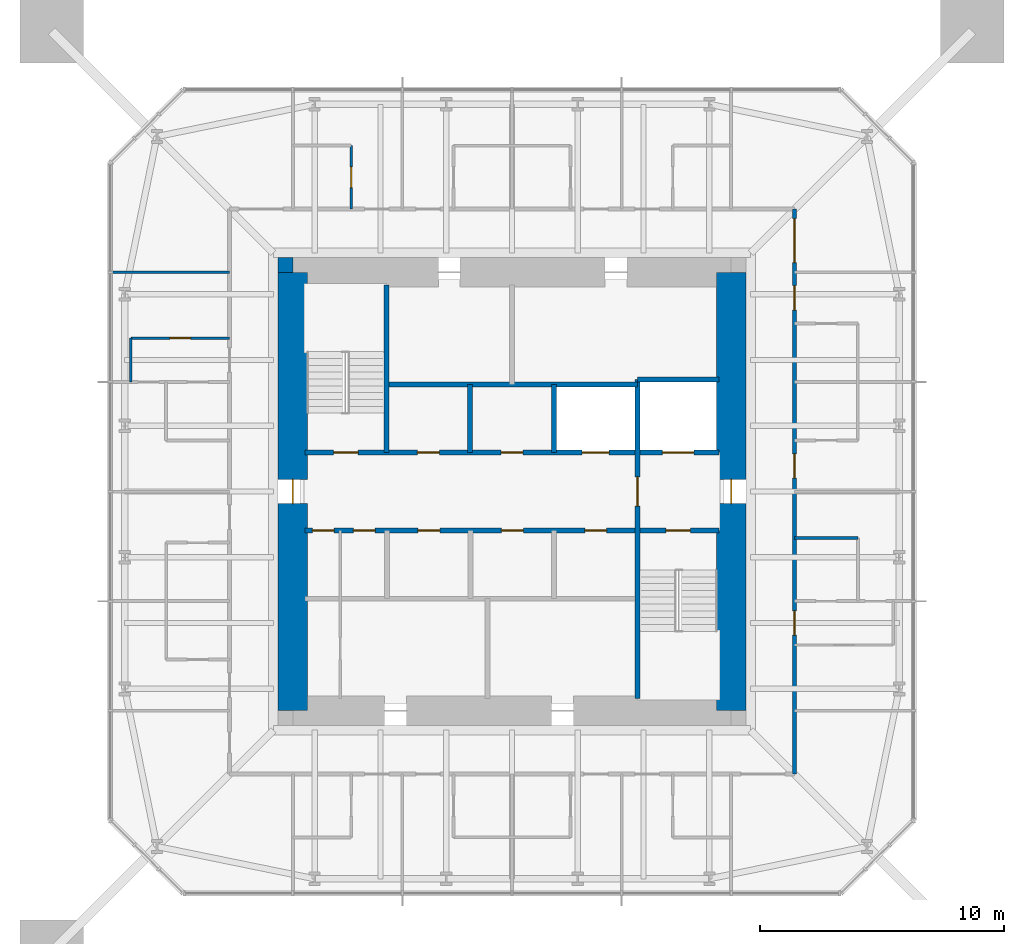
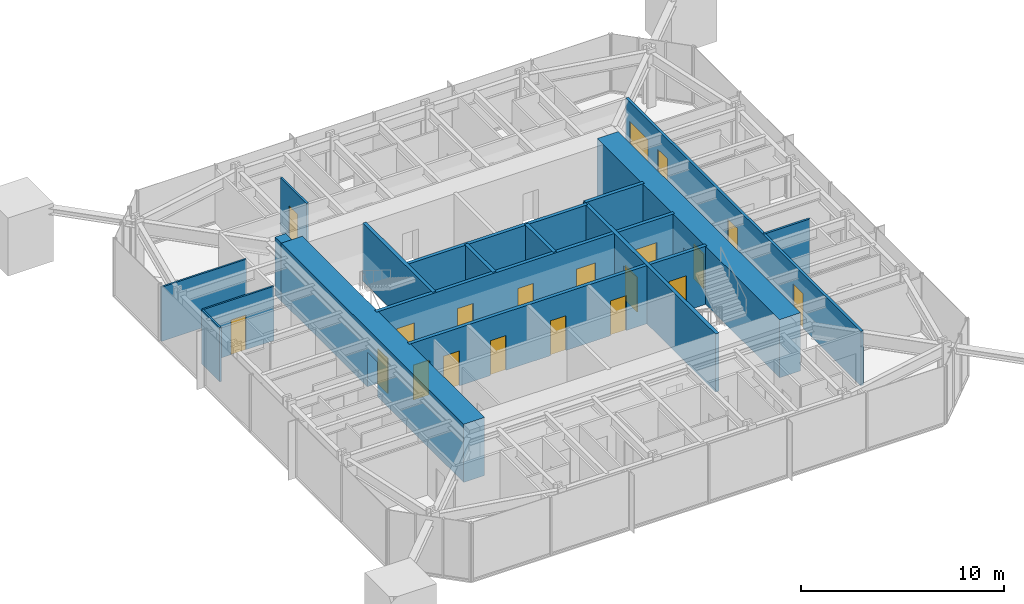
# One storey, part 7 of 10: 20 doors, 17 walls, 20 openings.
"""IFC4 building model written with IfcOpenShell, lengths in metres."""

from ifc_helpers import new_model, si_unit, direction, frame, frame_2d, origin, place, context, subcontext, project, spatial, rectangle, extrude, material, layer, layer_set, type_object, element, fill, save


model = new_model("IFC4")

# Units and contexts
model_context = context("Model", 3, precision=1e-05, world=origin(), true_north=direction((0.0, 1.0)))
body_context = subcontext(model_context, "Body", "Model", "MODEL_VIEW")
ifc_project = project(units=[si_unit("LENGTHUNIT", "METRE"), si_unit("AREAUNIT", "SQUARE_METRE"), si_unit("VOLUMEUNIT", "CUBIC_METRE"), si_unit("PLANEANGLEUNIT", "RADIAN"), si_unit("MASSUNIT", "GRAM", prefix="KILO")], contexts=[model_context])

# Site, building, storey
site_placement = place(None, origin())
site = spatial("IfcSite", under=ifc_project, at=site_placement, CompositionType="ELEMENT")
building_placement = place(site_placement, origin())
building = spatial("IfcBuilding", under=site, at=building_placement, Name="Iwan Alto Co-Living Towers", CompositionType="ELEMENT")
storey_placement = place(building_placement, frame((0.0, 0.0, 218.5)))
storey = spatial("IfcBuildingStorey", under=building, at=storey_placement, Name="L59", CompositionType="ELEMENT", Elevation=218.5)

# Wall, openings, doors
ifc_material_1 = material(Name="Gypsum board")
ifc_layer_1 = layer(ifc_material_1, 0.02490234375, Name="Board", Category="Finish")
ifc_material_2 = material(Name="Steel ASTM A1003 ST33H cold-formed studs", Category="steel")
ifc_layer_2 = layer(ifc_material_2, 0.10009765625, Name="Studs", Category="Framing")
ifc_layer_3 = layer(ifc_material_1, 0.02490234375, Name="Board", Category="Finish")
ifc_layer_set_1 = layer_set([ifc_layer_1, ifc_layer_2, ifc_layer_3], Name="CORRIDOR WALL 150")
wall_type_1 = type_object("IfcWallType", Name="CORRIDOR WALL 150", PredefinedType="PARTITIONING", material=ifc_layer_set_1)
wall_1_placement = place(storey_placement, frame((11.60009765625, -11.60009765625, 0.0), z_axis=(0.0, 0.0, 1.0), x_axis=(0.0, 1.0, 0.0)))
wall_1 = element("IfcWall", 1, at=wall_1_placement, inside=storey, type_object=wall_type_1, Name="Partition L59", PredefinedType="PARTITIONING", context=body_context, shape_type="SweptSolid", body=[
    extrude(rectangle(XDim=23.2001953125, YDim=0.14990234375, at=frame_2d((11.60009765625, 0.0))), origin(), (0.0, 0.0, 1.0), 3.27001953125),
])
opening_1_placement = place(wall_1_placement, frame((5.699951171875, 0.0, 0.0)))
opening_1 = element("IfcOpeningElement", 2, at=opening_1_placement, cuts=wall_1, Name="Opening D3", PredefinedType="OPENING", context=body_context, shape_type="SweptSolid", body=[
    extrude(rectangle(XDim=1.0, YDim=2.10009765625, at=frame_2d((0.5, 1.050048828125))), frame((0.0, 0.0849609375, 0.0), z_axis=(0.0, -1.0, 0.0), x_axis=(1.0, 0.0, 0.0)), (0.0, 0.0, 1.0), 0.169921875),
])
opening_2_placement = place(wall_1_placement, frame((12.14990234375, 0.0, 0.0)))
opening_2 = element("IfcOpeningElement", 3, at=opening_2_placement, cuts=wall_1, Name="Opening D3", PredefinedType="OPENING", context=body_context, shape_type="SweptSolid", body=[
    extrude(rectangle(XDim=1.0, YDim=2.10009765625, at=frame_2d((0.5, 1.050048828125))), frame((0.0, 0.0849609375, 0.0), z_axis=(0.0, -1.0, 0.0), x_axis=(1.0, 0.0, 0.0)), (0.0, 0.0, 1.0), 0.169921875),
])
opening_3_placement = place(wall_1_placement, frame((19.050048828125, 0.0, 0.0)))
opening_3 = element("IfcOpeningElement", 4, at=opening_3_placement, cuts=wall_1, Name="Opening D3", PredefinedType="OPENING", context=body_context, shape_type="SweptSolid", body=[
    extrude(rectangle(XDim=1.0, YDim=2.10009765625, at=frame_2d((0.5, 1.050048828125))), frame((0.0, 0.0849609375, 0.0), z_axis=(0.0, -1.0, 0.0), x_axis=(1.0, 0.0, 0.0)), (0.0, 0.0, 1.0), 0.169921875),
])
opening_4_placement = place(wall_1_placement, frame((21.0, 0.0, 0.0)))
opening_4 = element("IfcOpeningElement", 5, at=opening_4_placement, cuts=wall_1, Name="Opening D9", PredefinedType="OPENING", context=body_context, shape_type="SweptSolid", body=[
    extrude(rectangle(XDim=1.800048828125, YDim=2.10009765625, at=frame_2d((0.89990234375, 1.050048828125))), frame((0.0, 0.0849609375, 0.0), z_axis=(0.0, -1.0, 0.0), x_axis=(1.0, 0.0, 0.0)), (0.0, 0.0, 1.0), 0.169921875),
])
ifc_material_3 = material(Name="Steel frame with timber leaf", Category="steel")
door_type_1 = type_object("IfcDoorType", Name="FLAT ENTRANCE DOOR FD30S 1000X2100", OperationType="SINGLE_SWING_LEFT", PredefinedType="DOOR", material=ifc_material_3)
door_1_placement = place(opening_1_placement, frame((1.0, 0.0, 0.0), z_axis=(0.0, 0.0, 1.0), x_axis=(-1.0, 0.0, 0.0)))
door_1 = element("IfcDoor", 6, at=door_1_placement, inside=storey, type_object=door_type_1, Name="Apartment foyer door L59", OperationType="SINGLE_SWING_RIGHT", OverallHeight=2.10009765625, OverallWidth=1.0, PredefinedType="DOOR", context=body_context, shape_type="SweptSolid", body=[
    extrude(rectangle(XDim=1.0, YDim=2.10009765625, at=frame_2d((0.5, 1.050048828125))), frame((0.0, 0.02490234375, 0.0), z_axis=(0.0, -1.0, 0.0), x_axis=(1.0, 0.0, 0.0)), (0.0, 0.0, 1.0), 0.050048828125),
])
fill(opening_1, door_1)
door_2_placement = place(opening_2_placement, frame((1.0, 0.0, 0.0), z_axis=(0.0, 0.0, 1.0), x_axis=(-1.0, 0.0, 0.0)))
door_2 = element("IfcDoor", 7, at=door_2_placement, inside=storey, type_object=door_type_1, Name="Studio door L59", OperationType="SINGLE_SWING_RIGHT", OverallHeight=2.10009765625, OverallWidth=1.0, PredefinedType="DOOR", context=body_context, shape_type="SweptSolid", body=[
    extrude(rectangle(XDim=1.0, YDim=2.10009765625, at=frame_2d((0.5, 1.050048828125))), frame((0.0, 0.02490234375, 0.0), z_axis=(0.0, -1.0, 0.0), x_axis=(1.0, 0.0, 0.0)), (0.0, 0.0, 1.0), 0.050048828125),
])
fill(opening_2, door_2)
door_3_placement = place(opening_3_placement, frame((1.0, 0.0, 0.0), z_axis=(0.0, 0.0, 1.0), x_axis=(-1.0, 0.0, 0.0)))
door_3 = element("IfcDoor", 8, at=door_3_placement, inside=storey, type_object=door_type_1, Name="Studio door L59", OperationType="SINGLE_SWING_RIGHT", OverallHeight=2.10009765625, OverallWidth=1.0, PredefinedType="DOOR", context=body_context, shape_type="SweptSolid", body=[
    extrude(rectangle(XDim=1.0, YDim=2.10009765625, at=frame_2d((0.5, 1.050048828125))), frame((0.0, 0.02490234375, 0.0), z_axis=(0.0, -1.0, 0.0), x_axis=(1.0, 0.0, 0.0)), (0.0, 0.0, 1.0), 0.050048828125),
])
fill(opening_3, door_3)
ifc_material_4 = material(Name="Steel frame with timber leaf", Category="steel")
door_type_2 = type_object("IfcDoorType", Name="LOUNGE DOOR FD30S 1800X2100", OperationType="DOUBLE_DOOR_SINGLE_SWING", PredefinedType="DOOR", material=ifc_material_4)
door_4_placement = place(opening_4_placement, frame((1.800048828125, 0.0, 0.0), z_axis=(0.0, 0.0, 1.0), x_axis=(-1.0, 0.0, 0.0)))
door_4 = element("IfcDoor", 9, at=door_4_placement, inside=storey, type_object=door_type_2, Name="Study lounge door L59", OperationType="DOUBLE_DOOR_SINGLE_SWING", OverallHeight=2.10009765625, OverallWidth=1.800048828125, PredefinedType="DOOR", context=body_context, shape_type="SweptSolid", body=[
    extrude(rectangle(XDim=1.800048828125, YDim=2.10009765625, at=frame_2d((0.89990234375, 1.050048828125))), frame((0.0, 0.02490234375, 0.0), z_axis=(0.0, -1.0, 0.0), x_axis=(1.0, 0.0, 0.0)), (0.0, 0.0, 1.0), 0.050048828125),
])
fill(opening_4, door_4)

# Wall, opening, door
ifc_layer_4 = layer(ifc_material_1, 0.012451171875, Name="Board", Category="Finish")
ifc_layer_5 = layer(ifc_material_2, 0.074951171875, Name="Studs", Category="Framing")
ifc_layer_6 = layer(ifc_material_1, 0.012451171875, Name="Board", Category="Finish")
ifc_layer_set_2 = layer_set([ifc_layer_4, ifc_layer_5, ifc_layer_6], Name="PARTITION 100")
wall_type_2 = type_object("IfcWallType", Name="PARTITION 100", PredefinedType="PARTITIONING", material=ifc_layer_set_2)
wall_2_placement = place(storey_placement, frame((-15.64990234375, 6.300048828125, 0.0), z_axis=(0.0, 0.0, 1.0), x_axis=(1.0, 0.0, 0.0)))
wall_2 = element("IfcWall", 10, at=wall_2_placement, inside=storey, type_object=wall_type_2, Name="Partition L59", PredefinedType="PARTITIONING", context=body_context, shape_type="SweptSolid", body=[
    extrude(rectangle(XDim=4.0498046875, YDim=0.10009765625, at=frame_2d((2.02490234375, 0.0))), origin(), (0.0, 0.0, 1.0), 3.27001953125),
])
opening_5_placement = place(wall_2_placement, frame((1.60009765625, 0.0, 0.0)))
opening_5 = element("IfcOpeningElement", 11, at=opening_5_placement, cuts=wall_2, Name="Opening D2", PredefinedType="OPENING", context=body_context, shape_type="SweptSolid", body=[
    extrude(rectangle(XDim=0.85009765625, YDim=2.10009765625, at=frame_2d((0.425048828125, 1.050048828125))), frame((0.0, 0.06005859375, 0.0), z_axis=(0.0, -1.0, 0.0), x_axis=(1.0, 0.0, 0.0)), (0.0, 0.0, 1.0), 0.1201171875),
])
ifc_material_5 = material(Name="Timber leaf in steel frame", Category="steel")
door_type_3 = type_object("IfcDoorType", Name="ROOM DOOR 850X2100", OperationType="SINGLE_SWING_LEFT", PredefinedType="DOOR", material=ifc_material_5)
door_5_placement = place(opening_5_placement, origin())
door_5 = element("IfcDoor", 12, at=door_5_placement, inside=storey, type_object=door_type_3, Name="Apartment foyer door L59", OperationType="SINGLE_SWING_RIGHT", OverallHeight=2.10009765625, OverallWidth=0.85009765625, PredefinedType="DOOR", context=body_context, shape_type="SweptSolid", body=[
    extrude(rectangle(XDim=0.85009765625, YDim=2.10009765625, at=frame_2d((0.425048828125, 1.050048828125))), frame((0.0, 0.02490234375, 0.0), z_axis=(0.0, -1.0, 0.0), x_axis=(1.0, 0.0, 0.0)), (0.0, 0.0, 1.0), 0.050048828125),
])
fill(opening_5, door_5)

# Walls
wall_3_placement = place(storey_placement, frame((-16.43994140625, 9.0, 0.0), z_axis=(0.0, 0.0, 1.0), x_axis=(1.0, 0.0, 0.0)))
element("IfcWall", 13, at=wall_3_placement, inside=storey, type_object=wall_type_2, Name="Partition L59", PredefinedType="PARTITIONING", context=body_context, shape_type="SweptSolid", body=[
    extrude(rectangle(XDim=4.83984375, YDim=0.10009765625, at=frame_2d((2.419921875, 0.0))), origin(), (0.0, 0.0, 1.0), 3.27001953125),
])
wall_4_placement = place(storey_placement, frame((-15.64990234375, 4.5, 0.0), z_axis=(0.0, 0.0, 1.0), x_axis=(0.0, 1.0, 0.0)))
element("IfcWall", 14, at=wall_4_placement, inside=storey, type_object=wall_type_2, Name="Partition L59", PredefinedType="PARTITIONING", context=body_context, shape_type="SweptSolid", body=[
    extrude(rectangle(XDim=1.800048828125, YDim=0.10009765625, at=frame_2d((0.89990234375, 0.0))), origin(), (0.0, 0.0, 1.0), 3.27001953125),
])

# Wall, openings, doors
ifc_material_6 = material(Name="Concrete f'c 70 MPa", Category="concrete")
ifc_layer_7 = layer(ifc_material_6, 0.199951171875)
ifc_layer_set_3 = layer_set([ifc_layer_7], Name="SHAFT WALL 200")
wall_type_3 = type_object("IfcWallType", Name="SHAFT WALL 200", PredefinedType="SOLIDWALL", material=ifc_layer_set_3)
wall_5_placement = place(storey_placement, frame((-8.489990234375, -1.60009765625, 0.0), z_axis=(0.0, 0.0, 1.0), x_axis=(1.0, 0.0, 0.0)))
wall_5 = element("IfcWall", 15, at=wall_5_placement, inside=storey, type_object=wall_type_3, Name="Shaft wall L59", PredefinedType="SOLIDWALL", context=body_context, shape_type="SweptSolid", body=[
    extrude(rectangle(XDim=16.97998046875, YDim=0.199951171875, at=frame_2d((8.489990234375, 0.0))), origin(), (0.0, 0.0, 1.0), 3.5),
])
opening_6_placement = place(wall_5_placement, frame((14.81005859375, 0.0, 0.0)))
opening_6 = element("IfcOpeningElement", 16, at=opening_6_placement, cuts=wall_5, Name="Opening D5", PredefinedType="OPENING", context=body_context, shape_type="SweptSolid", body=[
    extrude(rectangle(XDim=1.0, YDim=2.10009765625, at=frame_2d((0.5, 1.050048828125))), frame((0.0, 0.10986328125, 0.0), z_axis=(0.0, -1.0, 0.0), x_axis=(1.0, 0.0, 0.0)), (0.0, 0.0, 1.0), 0.219970703125),
])
opening_7_placement = place(wall_5_placement, frame((1.972900390625, 0.0, 0.0)))
opening_7 = element("IfcOpeningElement", 17, at=opening_7_placement, cuts=wall_5, Name="Opening D15", PredefinedType="OPENING", context=body_context, shape_type="SweptSolid", body=[
    extrude(rectangle(XDim=0.89990234375, YDim=2.10009765625, at=frame_2d((0.449951171875, 1.050048828125))), frame((0.0, 0.10986328125, 0.0), z_axis=(0.0, -1.0, 0.0), x_axis=(1.0, 0.0, 0.0)), (0.0, 0.0, 1.0), 0.219970703125),
])
opening_8_placement = place(wall_5_placement, frame((0.2900390625, 0.0, 0.0)))
opening_8 = element("IfcOpeningElement", 18, at=opening_8_placement, cuts=wall_5, Name="Opening D15", PredefinedType="OPENING", context=body_context, shape_type="SweptSolid", body=[
    extrude(rectangle(XDim=0.89990234375, YDim=2.10009765625, at=frame_2d((0.449951171875, 1.050048828125))), frame((0.0, 0.10986328125, 0.0), z_axis=(0.0, -1.0, 0.0), x_axis=(1.0, 0.0, 0.0)), (0.0, 0.0, 1.0), 0.219970703125),
])
opening_9_placement = place(wall_5_placement, frame((4.626953125, 0.0, 0.0)))
opening_9 = element("IfcOpeningElement", 19, at=opening_9_placement, cuts=wall_5, Name="Opening D15", PredefinedType="OPENING", context=body_context, shape_type="SweptSolid", body=[
    extrude(rectangle(XDim=0.89990234375, YDim=2.10009765625, at=frame_2d((0.449951171875, 1.050048828125))), frame((0.0, 0.10986328125, 0.0), z_axis=(0.0, -1.0, 0.0), x_axis=(1.0, 0.0, 0.0)), (0.0, 0.0, 1.0), 0.219970703125),
])
opening_10_placement = place(wall_5_placement, frame((8.052001953125, 0.0, 0.0)))
opening_10 = element("IfcOpeningElement", 20, at=opening_10_placement, cuts=wall_5, Name="Opening D15", PredefinedType="OPENING", context=body_context, shape_type="SweptSolid", body=[
    extrude(rectangle(XDim=0.89990234375, YDim=2.10009765625, at=frame_2d((0.449951171875, 1.050048828125))), frame((0.0, 0.10986328125, 0.0), z_axis=(0.0, -1.0, 0.0), x_axis=(1.0, 0.0, 0.0)), (0.0, 0.0, 1.0), 0.219970703125),
])
opening_11_placement = place(wall_5_placement, frame((11.47802734375, 0.0, 0.0)))
opening_11 = element("IfcOpeningElement", 21, at=opening_11_placement, cuts=wall_5, Name="Opening D15", PredefinedType="OPENING", context=body_context, shape_type="SweptSolid", body=[
    extrude(rectangle(XDim=0.89990234375, YDim=2.10009765625, at=frame_2d((0.449951171875, 1.050048828125))), frame((0.0, 0.10986328125, 0.0), z_axis=(0.0, -1.0, 0.0), x_axis=(1.0, 0.0, 0.0)), (0.0, 0.0, 1.0), 0.219970703125),
])
ifc_material_7 = material(Name="Steel frame with timber leaf", Category="steel")
door_type_4 = type_object("IfcDoorType", Name="CORE ROOM DOOR FD60S 900X2100", OperationType="SINGLE_SWING_LEFT", PredefinedType="DOOR", material=ifc_material_7)
door_6_placement = place(opening_7_placement, frame((0.89990234375, 0.0, 0.0), z_axis=(0.0, 0.0, 1.0), x_axis=(-1.0, 0.0, 0.0)))
door_6 = element("IfcDoor", 22, at=door_6_placement, inside=storey, type_object=door_type_4, Name="IT room door L59", OperationType="SINGLE_SWING_RIGHT", OverallHeight=2.10009765625, OverallWidth=0.89990234375, PredefinedType="DOOR", context=body_context, shape_type="SweptSolid", body=[
    extrude(rectangle(XDim=0.89990234375, YDim=2.10009765625, at=frame_2d((0.449951171875, 1.050048828125))), frame((0.0, 0.02490234375, 0.0), z_axis=(0.0, -1.0, 0.0), x_axis=(1.0, 0.0, 0.0)), (0.0, 0.0, 1.0), 0.050048828125),
])
fill(opening_7, door_6)
door_7_placement = place(opening_8_placement, frame((0.89990234375, 0.0, 0.0), z_axis=(0.0, 0.0, 1.0), x_axis=(-1.0, 0.0, 0.0)))
door_7 = element("IfcDoor", 23, at=door_7_placement, inside=storey, type_object=door_type_4, Name="Comms room door L59", OperationType="SINGLE_SWING_LEFT", OverallHeight=2.10009765625, OverallWidth=0.89990234375, PredefinedType="DOOR", context=body_context, shape_type="SweptSolid", body=[
    extrude(rectangle(XDim=0.89990234375, YDim=2.10009765625, at=frame_2d((0.449951171875, 1.050048828125))), frame((0.0, 0.02490234375, 0.0), z_axis=(0.0, -1.0, 0.0), x_axis=(1.0, 0.0, 0.0)), (0.0, 0.0, 1.0), 0.050048828125),
])
fill(opening_8, door_7)
door_8_placement = place(opening_9_placement, frame((0.89990234375, 0.0, 0.0), z_axis=(0.0, 0.0, 1.0), x_axis=(-1.0, 0.0, 0.0)))
door_8 = element("IfcDoor", 24, at=door_8_placement, inside=storey, type_object=door_type_4, Name="Linen store door L59", OperationType="SINGLE_SWING_RIGHT", OverallHeight=2.10009765625, OverallWidth=0.89990234375, PredefinedType="DOOR", context=body_context, shape_type="SweptSolid", body=[
    extrude(rectangle(XDim=0.89990234375, YDim=2.10009765625, at=frame_2d((0.449951171875, 1.050048828125))), frame((0.0, 0.02490234375, 0.0), z_axis=(0.0, -1.0, 0.0), x_axis=(1.0, 0.0, 0.0)), (0.0, 0.0, 1.0), 0.050048828125),
])
fill(opening_9, door_8)
door_9_placement = place(opening_10_placement, frame((0.89990234375, 0.0, 0.0), z_axis=(0.0, 0.0, 1.0), x_axis=(-1.0, 0.0, 0.0)))
door_9 = element("IfcDoor", 25, at=door_9_placement, inside=storey, type_object=door_type_4, Name="Linen and housekeeping store door L59", OperationType="SINGLE_SWING_RIGHT", OverallHeight=2.10009765625, OverallWidth=0.89990234375, PredefinedType="DOOR", context=body_context, shape_type="SweptSolid", body=[
    extrude(rectangle(XDim=0.89990234375, YDim=2.10009765625, at=frame_2d((0.449951171875, 1.050048828125))), frame((0.0, 0.02490234375, 0.0), z_axis=(0.0, -1.0, 0.0), x_axis=(1.0, 0.0, 0.0)), (0.0, 0.0, 1.0), 0.050048828125),
])
fill(opening_10, door_9)
door_10_placement = place(opening_11_placement, frame((0.89990234375, 0.0, 0.0), z_axis=(0.0, 0.0, 1.0), x_axis=(-1.0, 0.0, 0.0)))
door_10 = element("IfcDoor", 26, at=door_10_placement, inside=storey, type_object=door_type_4, Name="Vending and ice room door L59", OperationType="SINGLE_SWING_RIGHT", OverallHeight=2.10009765625, OverallWidth=0.89990234375, PredefinedType="DOOR", context=body_context, shape_type="SweptSolid", body=[
    extrude(rectangle(XDim=0.89990234375, YDim=2.10009765625, at=frame_2d((0.449951171875, 1.050048828125))), frame((0.0, 0.02490234375, 0.0), z_axis=(0.0, -1.0, 0.0), x_axis=(1.0, 0.0, 0.0)), (0.0, 0.0, 1.0), 0.050048828125),
])
fill(opening_11, door_10)
ifc_material_8 = material(Name="Steel frame with timber leaf", Category="steel")
door_type_5 = type_object("IfcDoorType", Name="STAIR DOOR FD120S 1000X2100", OperationType="SINGLE_SWING_LEFT", PredefinedType="DOOR", material=ifc_material_8)
door_11_placement = place(opening_6_placement, frame((1.0, 0.0, 0.0), z_axis=(0.0, 0.0, 1.0), x_axis=(-1.0, 0.0, 0.0)))
door_11 = element("IfcDoor", 27, at=door_11_placement, inside=storey, type_object=door_type_5, Name="Stair S2 door L59", OperationType="SINGLE_SWING_RIGHT", OverallHeight=2.10009765625, OverallWidth=1.0, PredefinedType="DOOR", context=body_context, shape_type="SweptSolid", body=[
    extrude(rectangle(XDim=1.0, YDim=2.10009765625, at=frame_2d((0.5, 1.050048828125))), frame((0.0, 0.02490234375, 0.0), z_axis=(0.0, -1.0, 0.0), x_axis=(1.0, 0.0, 0.0)), (0.0, 0.0, 1.0), 0.050048828125),
])
fill(opening_6, door_11)

wall_6_placement = place(storey_placement, frame((-8.489990234375, 1.60009765625, 0.0), z_axis=(0.0, 0.0, 1.0), x_axis=(1.0, 0.0, 0.0)))
wall_6 = element("IfcWall", 28, at=wall_6_placement, inside=storey, type_object=wall_type_3, Name="Shaft wall L59", PredefinedType="SOLIDWALL", context=body_context, shape_type="SweptSolid", body=[
    extrude(rectangle(XDim=16.97998046875, YDim=0.199951171875, at=frame_2d((8.489990234375, 0.0))), origin(), (0.0, 0.0, 1.0), 3.5),
])
opening_12_placement = place(wall_6_placement, frame((1.169921875, 0.0, 0.0)))
opening_12 = element("IfcOpeningElement", 29, at=opening_12_placement, cuts=wall_6, Name="Opening D5", PredefinedType="OPENING", context=body_context, shape_type="SweptSolid", body=[
    extrude(rectangle(XDim=1.0, YDim=2.10009765625, at=frame_2d((0.5, 1.050048828125))), frame((0.0, 0.10986328125, 0.0), z_axis=(0.0, -1.0, 0.0), x_axis=(1.0, 0.0, 0.0)), (0.0, 0.0, 1.0), 0.219970703125),
])
opening_13_placement = place(wall_6_placement, frame((4.60595703125, 0.0, 0.0)))
opening_13 = element("IfcOpeningElement", 30, at=opening_13_placement, cuts=wall_6, Name="Opening D15", PredefinedType="OPENING", context=body_context, shape_type="SweptSolid", body=[
    extrude(rectangle(XDim=0.89990234375, YDim=2.10009765625, at=frame_2d((0.449951171875, 1.050048828125))), frame((0.0, 0.10986328125, 0.0), z_axis=(0.0, -1.0, 0.0), x_axis=(1.0, 0.0, 0.0)), (0.0, 0.0, 1.0), 0.219970703125),
])
opening_14_placement = place(wall_6_placement, frame((8.0400390625, 0.0, 0.0)))
opening_14 = element("IfcOpeningElement", 31, at=opening_14_placement, cuts=wall_6, Name="Opening D15", PredefinedType="OPENING", context=body_context, shape_type="SweptSolid", body=[
    extrude(rectangle(XDim=0.89990234375, YDim=2.10009765625, at=frame_2d((0.449951171875, 1.050048828125))), frame((0.0, 0.10986328125, 0.0), z_axis=(0.0, -1.0, 0.0), x_axis=(1.0, 0.0, 0.0)), (0.0, 0.0, 1.0), 0.219970703125),
])
opening_15_placement = place(wall_6_placement, frame((11.3740234375, 0.0, 0.0)))
opening_15 = element("IfcOpeningElement", 32, at=opening_15_placement, cuts=wall_6, Name="Opening LD", PredefinedType="OPENING", context=body_context, shape_type="SweptSolid", body=[
    extrude(rectangle(XDim=1.10009765625, YDim=2.10009765625, at=frame_2d((0.550048828125, 1.050048828125))), frame((0.0, 0.10986328125, 0.0), z_axis=(0.0, -1.0, 0.0), x_axis=(1.0, 0.0, 0.0)), (0.0, 0.0, 1.0), 0.219970703125),
])
opening_16_placement = place(wall_6_placement, frame((14.659912109375, 0.0, 0.0)))
opening_16 = element("IfcOpeningElement", 33, at=opening_16_placement, cuts=wall_6, Name="Opening LD2", PredefinedType="OPENING", context=body_context, shape_type="SweptSolid", body=[
    extrude(rectangle(XDim=1.300048828125, YDim=2.10009765625, at=frame_2d((0.64990234375, 1.050048828125))), frame((0.0, 0.10986328125, 0.0), z_axis=(0.0, -1.0, 0.0), x_axis=(1.0, 0.0, 0.0)), (0.0, 0.0, 1.0), 0.219970703125),
])
door_12_placement = place(opening_13_placement, origin())
door_12 = element("IfcDoor", 34, at=door_12_placement, inside=storey, type_object=door_type_4, Name="Guest pantry door L59", OperationType="SINGLE_SWING_LEFT", OverallHeight=2.10009765625, OverallWidth=0.89990234375, PredefinedType="DOOR", context=body_context, shape_type="SweptSolid", body=[
    extrude(rectangle(XDim=0.89990234375, YDim=2.10009765625, at=frame_2d((0.449951171875, 1.050048828125))), frame((0.0, 0.02490234375, 0.0), z_axis=(0.0, -1.0, 0.0), x_axis=(1.0, 0.0, 0.0)), (0.0, 0.0, 1.0), 0.050048828125),
])
fill(opening_13, door_12)
door_13_placement = place(opening_14_placement, origin())
door_13 = element("IfcDoor", 35, at=door_13_placement, inside=storey, type_object=door_type_4, Name="Linen store door L59", OperationType="SINGLE_SWING_LEFT", OverallHeight=2.10009765625, OverallWidth=0.89990234375, PredefinedType="DOOR", context=body_context, shape_type="SweptSolid", body=[
    extrude(rectangle(XDim=0.89990234375, YDim=2.10009765625, at=frame_2d((0.449951171875, 1.050048828125))), frame((0.0, 0.02490234375, 0.0), z_axis=(0.0, -1.0, 0.0), x_axis=(1.0, 0.0, 0.0)), (0.0, 0.0, 1.0), 0.050048828125),
])
fill(opening_14, door_13)
ifc_material_9 = material(Name="Steel frame with timber leaf", Category="steel")
door_type_6 = type_object("IfcDoorType", Name="LIFT LANDING DOOR 1100X2100", OperationType="DOUBLE_DOOR_SLIDING", PredefinedType="DOOR", material=ifc_material_9)
door_14_placement = place(opening_15_placement, origin())
door_14 = element("IfcDoor", 36, at=door_14_placement, inside=storey, type_object=door_type_6, Name="Lift P4-3 landing door L59", OperationType="DOUBLE_DOOR_SLIDING", OverallHeight=2.10009765625, OverallWidth=1.10009765625, PredefinedType="DOOR", context=body_context, shape_type="SweptSolid", body=[
    extrude(rectangle(XDim=1.10009765625, YDim=2.10009765625, at=frame_2d((0.550048828125, 1.050048828125))), frame((0.0, 0.02490234375, 0.0), z_axis=(0.0, -1.0, 0.0), x_axis=(1.0, 0.0, 0.0)), (0.0, 0.0, 1.0), 0.050048828125),
])
fill(opening_15, door_14)
ifc_material_10 = material(Name="Steel frame with timber leaf", Category="steel")
door_type_7 = type_object("IfcDoorType", Name="LIFT LANDING DOOR 1300X2100", OperationType="SLIDING_TO_LEFT", PredefinedType="DOOR", material=ifc_material_10)
door_15_placement = place(opening_16_placement, origin())
door_15 = element("IfcDoor", 37, at=door_15_placement, inside=storey, type_object=door_type_7, Name="Lift FL1 landing door L59", OperationType="SLIDING_TO_LEFT", OverallHeight=2.10009765625, OverallWidth=1.300048828125, PredefinedType="DOOR", context=body_context, shape_type="SweptSolid", body=[
    extrude(rectangle(XDim=1.300048828125, YDim=2.10009765625, at=frame_2d((0.64990234375, 1.050048828125))), frame((0.0, 0.02490234375, 0.0), z_axis=(0.0, -1.0, 0.0), x_axis=(1.0, 0.0, 0.0)), (0.0, 0.0, 1.0), 0.050048828125),
])
fill(opening_16, door_15)
door_16_placement = place(opening_12_placement, origin())
door_16 = element("IfcDoor", 38, at=door_16_placement, inside=storey, type_object=door_type_5, Name="Stair S1 door L59", OperationType="SINGLE_SWING_RIGHT", OverallHeight=2.10009765625, OverallWidth=1.0, PredefinedType="DOOR", context=body_context, shape_type="SweptSolid", body=[
    extrude(rectangle(XDim=1.0, YDim=2.10009765625, at=frame_2d((0.5, 1.050048828125))), frame((0.0, 0.02490234375, 0.0), z_axis=(0.0, -1.0, 0.0), x_axis=(1.0, 0.0, 0.0)), (0.0, 0.0, 1.0), 0.050048828125),
])
fill(opening_12, door_16)

# Walls
wall_7_placement = place(storey_placement, frame((-5.14990234375, 4.39990234375, 0.0), z_axis=(0.0, 0.0, 1.0), x_axis=(1.0, 0.0, 0.0)))
element("IfcWall", 39, at=wall_7_placement, inside=storey, type_object=wall_type_3, Name="Shaft wall L59", PredefinedType="SOLIDWALL", context=body_context, shape_type="SweptSolid", body=[
    extrude(rectangle(XDim=10.2998046875, YDim=0.199951171875, at=frame_2d((5.14990234375, 0.0))), origin(), (0.0, 0.0, 1.0), 3.5),
])
wall_8_placement = place(storey_placement, frame((5.14990234375, 4.60009765625, 0.0), z_axis=(0.0, 0.0, 1.0), x_axis=(1.0, 0.0, 0.0)))
element("IfcWall", 40, at=wall_8_placement, inside=storey, type_object=wall_type_3, Name="Shaft wall L59", PredefinedType="SOLIDWALL", context=body_context, shape_type="SweptSolid", body=[
    extrude(rectangle(XDim=3.340087890625, YDim=0.199951171875, at=frame_2d((1.669921875, 0.0))), origin(), (0.0, 0.0, 1.0), 3.5),
])

# Wall, opening, door
wall_9_placement = place(storey_placement, frame((5.14990234375, -8.489990234375, 0.0), z_axis=(0.0, 0.0, 1.0), x_axis=(0.0, 1.0, 0.0)))
wall_9 = element("IfcWall", 41, at=wall_9_placement, inside=storey, type_object=wall_type_3, Name="Shaft wall L59", PredefinedType="SOLIDWALL", context=body_context, shape_type="SweptSolid", body=[
    extrude(rectangle(XDim=13.090087890625, YDim=0.199951171875, at=frame_2d((6.544921875, 0.0))), origin(), (0.0, 0.0, 1.0), 3.5),
])
opening_17_placement = place(wall_9_placement, frame((7.889892578125, 0.0, 0.0)))
opening_17 = element("IfcOpeningElement", 42, at=opening_17_placement, cuts=wall_9, Name="Opening D6", PredefinedType="OPENING", context=body_context, shape_type="SweptSolid", body=[
    extrude(rectangle(XDim=1.199951171875, YDim=2.10009765625, at=frame_2d((0.60009765625, 1.050048828125))), frame((0.0, 0.10986328125, 0.0), z_axis=(0.0, -1.0, 0.0), x_axis=(1.0, 0.0, 0.0)), (0.0, 0.0, 1.0), 0.219970703125),
])
ifc_material_11 = material(Name="Steel frame with timber leaf", Category="steel")
door_type_8 = type_object("IfcDoorType", Name="LOBBY DOOR FD120S 1200X2100", OperationType="SINGLE_SWING_LEFT", PredefinedType="DOOR", material=ifc_material_11)
door_17_placement = place(opening_17_placement, frame((1.199951171875, 0.0, 0.0), z_axis=(0.0, 0.0, 1.0), x_axis=(-1.0, 0.0, 0.0)))
door_17 = element("IfcDoor", 43, at=door_17_placement, inside=storey, type_object=door_type_8, Name="Firefighting lobby door L59", OperationType="SINGLE_SWING_RIGHT", OverallHeight=2.10009765625, OverallWidth=1.199951171875, PredefinedType="DOOR", context=body_context, shape_type="SweptSolid", body=[
    extrude(rectangle(XDim=1.199951171875, YDim=2.10009765625, at=frame_2d((0.60009765625, 1.050048828125))), frame((0.0, 0.02490234375, 0.0), z_axis=(0.0, -1.0, 0.0), x_axis=(1.0, 0.0, 0.0)), (0.0, 0.0, 1.0), 0.050048828125),
])
fill(opening_17, door_17)

# Walls
for number, where, z_axis, x_axis, name in (
    (44, (1.717041015625, 1.60009765625, 0.0), (0.0, 0.0, 1.0), (0.0, 1.0, 0.0), "Shaft wall L59"),
    (45, (-1.717041015625, 1.60009765625, 0.0), (0.0, 0.0, 1.0), (0.0, 1.0, 0.0), "Shaft wall L59"),
):
    element("IfcWall", number, at=place(storey_placement, frame(where, z_axis=z_axis, x_axis=x_axis)), inside=storey, type_object=wall_type_3, Name=name, PredefinedType="SOLIDWALL", context=body_context, shape_type="SweptSolid", body=[
        extrude(rectangle(XDim=2.7998046875, YDim=0.199951171875, at=frame_2d((1.39990234375, 0.0))), origin(), (0.0, 0.0, 1.0), 3.5),
    ])
wall_10_placement = place(storey_placement, frame((-5.14990234375, 1.60009765625, 0.0), z_axis=(0.0, 0.0, 1.0), x_axis=(0.0, 1.0, 0.0)))
element("IfcWall", 46, at=wall_10_placement, inside=storey, type_object=wall_type_3, Name="Shaft wall L59", PredefinedType="SOLIDWALL", context=body_context, shape_type="SweptSolid", body=[
    extrude(rectangle(XDim=6.889892578125, YDim=0.199951171875, at=frame_2d((3.44482421875, 0.0))), origin(), (0.0, 0.0, 1.0), 3.5),
])
ifc_material_12 = material(Name="Concrete f'c 70 MPa", Category="concrete")
ifc_layer_8 = layer(ifc_material_12, 0.60009765625)
ifc_layer_set_4 = layer_set([ifc_layer_8], Name="T1 CORE CORNER FILL 600")
wall_type_4 = type_object("IfcWallType", Name="T1 CORE CORNER FILL 600", PredefinedType="SOLIDWALL", material=ifc_layer_set_4)
wall_11_placement = place(storey_placement, frame((-9.60009765625, 9.300048828125, 0.0), z_axis=(0.0, 0.0, 1.0), x_axis=(1.0, 0.0, 0.0)))
element("IfcWall", 47, at=wall_11_placement, inside=storey, type_object=wall_type_4, Name="T1 core corner NW L59", PredefinedType="SOLIDWALL", context=body_context, shape_type="SweptSolid", body=[
    extrude(rectangle(XDim=0.60009765625, YDim=0.60009765625, at=frame_2d((0.300048828125, 0.0))), origin(), (0.0, 0.0, 1.0), 3.5),
])

# Wall, opening, door
ifc_material_13 = material(Name="Concrete f'c 70 MPa", Category="concrete")
ifc_layer_9 = layer(ifc_material_13, 1.199951171875)
ifc_layer_set_5 = layer_set([ifc_layer_9], Name="T1 CORE WALL 1200")
wall_type_5 = type_object("IfcWallType", Name="T1 CORE WALL 1200", PredefinedType="SHEAR", material=ifc_layer_set_5)
wall_12_placement = place(storey_placement, frame((9.0, -9.0, 0.0), z_axis=(0.0, 0.0, 1.0), x_axis=(0.0, 1.0, 0.0)))
wall_12 = element("IfcWall", 48, at=wall_12_placement, inside=storey, type_object=wall_type_5, Name="T1 core wall E L59", PredefinedType="SHEAR", context=body_context, shape_type="SweptSolid", body=[
    extrude(rectangle(XDim=18.0, YDim=1.199951171875, at=frame_2d((9.0, 0.0))), origin(), (0.0, 0.0, 1.0), 3.5),
])
opening_18_placement = place(wall_12_placement, frame((8.5, 0.0, 0.0)))
opening_18 = element("IfcOpeningElement", 49, at=opening_18_placement, cuts=wall_12, Name="Opening D7", PredefinedType="OPENING", context=body_context, shape_type="SweptSolid", body=[
    extrude(rectangle(XDim=1.0, YDim=2.10009765625, at=frame_2d((0.5, 1.050048828125))), frame((0.0, 0.60986328125, 0.0), z_axis=(0.0, -1.0, 0.0), x_axis=(1.0, 0.0, 0.0)), (0.0, 0.0, 1.0), 1.219970703125),
])
ifc_material_14 = material(Name="Steel frame with timber leaf", Category="steel")
door_type_9 = type_object("IfcDoorType", Name="CORE DOOR FD120S 1000X2100", OperationType="SINGLE_SWING_LEFT", PredefinedType="DOOR", material=ifc_material_14)
door_18_placement = place(opening_18_placement, origin())
door_18 = element("IfcDoor", 50, at=door_18_placement, inside=storey, type_object=door_type_9, Name="Firefighting lobby core door L59", OperationType="SINGLE_SWING_LEFT", OverallHeight=2.10009765625, OverallWidth=1.0, PredefinedType="DOOR", context=body_context, shape_type="SweptSolid", body=[
    extrude(rectangle(XDim=1.0, YDim=2.10009765625, at=frame_2d((0.5, 1.050048828125))), frame((0.0, 0.02490234375, 0.0), z_axis=(0.0, -1.0, 0.0), x_axis=(1.0, 0.0, 0.0)), (0.0, 0.0, 1.0), 0.050048828125),
])
fill(opening_18, door_18)

wall_13_placement = place(storey_placement, frame((-9.0, 9.0, 0.0), z_axis=(0.0, 0.0, 1.0), x_axis=(0.0, -1.0, 0.0)))
wall_13 = element("IfcWall", 51, at=wall_13_placement, inside=storey, type_object=wall_type_5, Name="T1 core wall W L59", PredefinedType="SHEAR", context=body_context, shape_type="SweptSolid", body=[
    extrude(rectangle(XDim=18.0, YDim=1.199951171875, at=frame_2d((9.0, 0.0))), origin(), (0.0, 0.0, 1.0), 3.5),
])
opening_19_placement = place(wall_13_placement, frame((8.5, 0.0, 0.0)))
opening_19 = element("IfcOpeningElement", 52, at=opening_19_placement, cuts=wall_13, Name="Opening D7", PredefinedType="OPENING", context=body_context, shape_type="SweptSolid", body=[
    extrude(rectangle(XDim=1.0, YDim=2.10009765625, at=frame_2d((0.5, 1.050048828125))), frame((0.0, 0.60986328125, 0.0), z_axis=(0.0, -1.0, 0.0), x_axis=(1.0, 0.0, 0.0)), (0.0, 0.0, 1.0), 1.219970703125),
])
door_19_placement = place(opening_19_placement, origin())
door_19 = element("IfcDoor", 53, at=door_19_placement, inside=storey, type_object=door_type_9, Name="Lift lobby core door L59", OperationType="SINGLE_SWING_RIGHT", OverallHeight=2.10009765625, OverallWidth=1.0, PredefinedType="DOOR", context=body_context, shape_type="SweptSolid", body=[
    extrude(rectangle(XDim=1.0, YDim=2.10009765625, at=frame_2d((0.5, 1.050048828125))), frame((0.0, 0.02490234375, 0.0), z_axis=(0.0, -1.0, 0.0), x_axis=(1.0, 0.0, 0.0)), (0.0, 0.0, 1.0), 0.050048828125),
])
fill(opening_19, door_19)

# Wall
ifc_material_15 = material(Name="Cement board")
ifc_layer_10 = layer(ifc_material_15, 0.012451171875, Name="Board", Category="Finish")
ifc_layer_11 = layer(ifc_material_2, 0.094970703125, Name="Studs", Category="Framing")
ifc_layer_12 = layer(ifc_material_15, 0.012451171875, Name="Board", Category="Finish")
ifc_layer_set_6 = layer_set([ifc_layer_10, ifc_layer_11, ifc_layer_12], Name="WET AREA PARTITION 120")
wall_type_6 = type_object("IfcWallType", Name="WET AREA PARTITION 120", PredefinedType="PARTITIONING", material=ifc_layer_set_6)
wall_14_placement = place(storey_placement, frame((11.60009765625, -1.89990234375, 0.0), z_axis=(0.0, 0.0, 1.0), x_axis=(1.0, 0.0, 0.0)))
element("IfcWall", 54, at=wall_14_placement, inside=storey, type_object=wall_type_6, Name="Partition L59", PredefinedType="PARTITIONING", context=body_context, shape_type="SweptSolid", body=[
    extrude(rectangle(XDim=2.599853515625, YDim=0.1201171875, at=frame_2d((1.2998046875, 0.0))), origin(), (0.0, 0.0, 1.0), 3.27001953125),
])

# Wall, opening, door
wall_15_placement = place(storey_placement, frame((-6.60009765625, 11.60009765625, 0.0), z_axis=(0.0, 0.0, 1.0), x_axis=(0.0, 1.0, 0.0)))
wall_15 = element("IfcWall", 55, at=wall_15_placement, inside=storey, type_object=wall_type_6, Name="Partition L59", PredefinedType="PARTITIONING", context=body_context, shape_type="SweptSolid", body=[
    extrude(rectangle(XDim=2.599853515625, YDim=0.1201171875, at=frame_2d((1.2998046875, 0.0))), origin(), (0.0, 0.0, 1.0), 3.27001953125),
])
opening_20_placement = place(wall_15_placement, frame((0.875, 0.0, 0.0)))
opening_20 = element("IfcOpeningElement", 56, at=opening_20_placement, cuts=wall_15, Name="Opening D2", PredefinedType="OPENING", context=body_context, shape_type="SweptSolid", body=[
    extrude(rectangle(XDim=0.85009765625, YDim=2.10009765625, at=frame_2d((0.425048828125, 1.050048828125))), frame((0.0, 0.070068359375, 0.0), z_axis=(0.0, -1.0, 0.0), x_axis=(1.0, 0.0, 0.0)), (0.0, 0.0, 1.0), 0.14013671875),
])
door_20_placement = place(opening_20_placement, frame((0.85009765625, 0.0, 0.0), z_axis=(0.0, 0.0, 1.0), x_axis=(-1.0, 0.0, 0.0)))
door_20 = element("IfcDoor", 57, at=door_20_placement, inside=storey, type_object=door_type_3, Name="En-suite shower room door L59", OperationType="SINGLE_SWING_RIGHT", OverallHeight=2.10009765625, OverallWidth=0.85009765625, PredefinedType="DOOR", context=body_context, shape_type="SweptSolid", body=[
    extrude(rectangle(XDim=0.85009765625, YDim=2.10009765625, at=frame_2d((0.425048828125, 1.050048828125))), frame((0.0, 0.02490234375, 0.0), z_axis=(0.0, -1.0, 0.0), x_axis=(1.0, 0.0, 0.0)), (0.0, 0.0, 1.0), 0.050048828125),
])
fill(opening_20, door_20)

save(model, "model.ifc")
